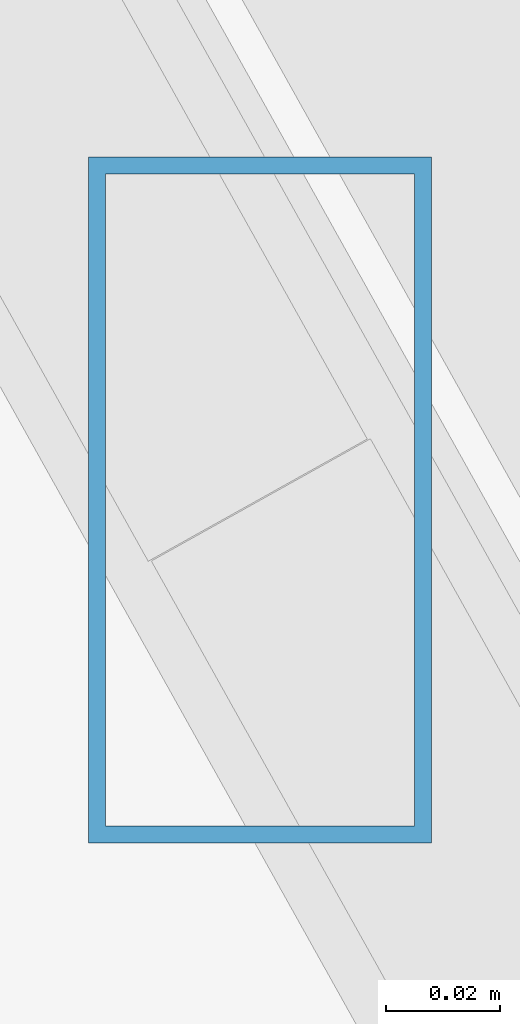
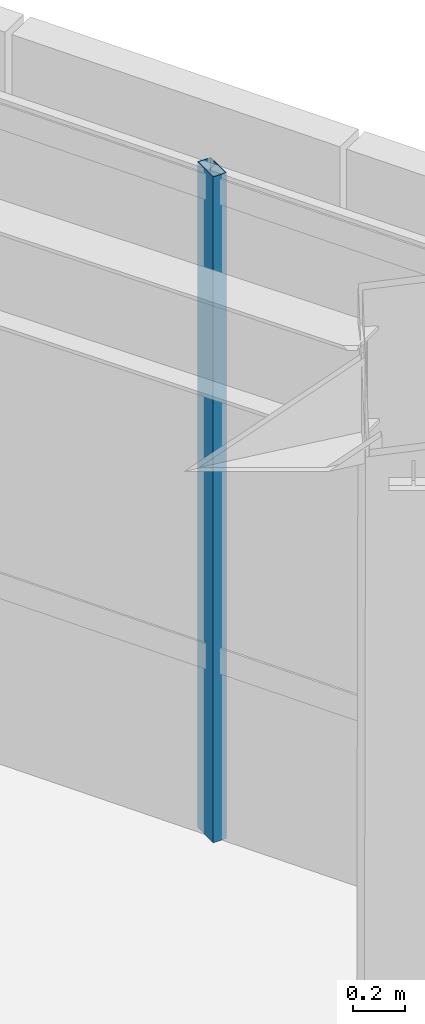
# One storey, part 25 of 44: 1 member, 1 element without a shape of its own.
"""IFC4 building model written with IfcOpenShell, lengths in metres."""

import ifcopenshell
import ifcopenshell.guid

model = None  # the IFC model being written
_history = None  # IfcOwnerHistory: only IFC2X3 demands one
_inside = {}  # id of a spatial element -> (the spatial element, [elements in it])
_under = {}  # id of a project, library or spatial element -> (it, [spatial elements below it])
_declared = {}  # id of a project -> (the project, [libraries it declares])
_typed = {}  # id of a type object -> (the type object, [elements of that type])
_made_of = {}  # id of a material, layer set ... -> (it, [elements and type objects made of it])


def new_model(schema):
    """Start an empty IFC model of exactly this schema.

    Asked for "IFC4X3", IfcOpenShell would pick the latest addendum, in which some entities
    have other attributes; the version numbers below select the first issue.
    IFC2X3 requires an IfcOwnerHistory on every rooted entity: one is made here for all.
    """
    global model, _history
    if schema == "IFC4X3":
        model = ifcopenshell.file(schema_version=(4, 3, 0, 0))
    else:
        model = ifcopenshell.file(schema=schema)
    _inside.clear()
    _under.clear()
    _declared.clear()
    _typed.clear()
    _made_of.clear()
    _history = None
    if model.schema == "IFC2X3":
        org = make("IfcOrganization", Name="unknown")
        user = make(
            "IfcPersonAndOrganization",
            ThePerson=make("IfcPerson", FamilyName="unknown"),
            TheOrganization=org,
        )
        app = make(
            "IfcApplication",
            ApplicationDeveloper=org,
            Version="unknown",
            ApplicationFullName="unknown",
            ApplicationIdentifier="unknown",
        )
        _history = make(
            "IfcOwnerHistory",
            OwningUser=user,
            OwningApplication=app,
            ChangeAction="ADDED",
            CreationDate=0,
        )
    return model


def make(cls, **values):
    """One entity of the class cls with the attributes given. An attribute that is None is left unset."""
    return model.create_entity(
        cls, **{name: value for name, value in values.items() if value is not None}
    )


def rooted(cls, **values):
    """An entity with a GlobalId (a new one), such as an element, a storey or a relation."""
    return make(cls, GlobalId=ifcopenshell.guid.new(), OwnerHistory=_history, **values)


def si_unit(unit_type, name, prefix=None):
    """IfcSIUnit, for example si_unit("LENGTHUNIT", "METRE", prefix="MILLI")."""
    return make("IfcSIUnit", UnitType=unit_type, Prefix=prefix, Name=name)


def assignment(units):
    """IfcUnitAssignment: the units of a project."""
    return None if units is None else make("IfcUnitAssignment", Units=units)


def point(xyz):
    """IfcCartesianPoint."""
    return None if xyz is None else make("IfcCartesianPoint", Coordinates=xyz)


def direction(xyz):
    """IfcDirection."""
    return None if xyz is None else make("IfcDirection", DirectionRatios=xyz)


def frame(location, z_axis=None, x_axis=None):
    """IfcAxis2Placement3D, a coordinate frame: its origin and axes. An axis left out is left unset."""
    return make(
        "IfcAxis2Placement3D",
        Location=point(location),
        Axis=direction(z_axis),
        RefDirection=direction(x_axis),
    )


def frame_2d(location, x_axis=None):
    """IfcAxis2Placement2D, a coordinate frame in the plane: its origin and x axis."""
    return make(
        "IfcAxis2Placement2D", Location=point(location), RefDirection=direction(x_axis)
    )


def origin():
    """The frame at (0, 0, 0) with its axes left unset."""
    return frame((0.0, 0.0, 0.0))


def origin_2d():
    """The frame at (0, 0) in the plane with its x axis left unset."""
    return frame_2d((0.0, 0.0))


def place(relative_to, where):
    """IfcLocalPlacement: puts the frame where relative to a parent placement (None: the world)."""
    return make(
        "IfcLocalPlacement", PlacementRelTo=relative_to, RelativePlacement=where
    )


def context(
    kind, dimensions, precision=None, world=None, true_north=None, identifier=None
):
    """IfcGeometricRepresentationContext, for example the 3D "Model" context."""
    return make(
        "IfcGeometricRepresentationContext",
        ContextIdentifier=identifier,
        ContextType=kind,
        CoordinateSpaceDimension=dimensions,
        Precision=precision,
        WorldCoordinateSystem=world,
        TrueNorth=true_north,
    )


def subcontext(parent, identifier, kind, view, scale=None):
    """IfcGeometricRepresentationSubContext, for example "Body" below "Model"."""
    return make(
        "IfcGeometricRepresentationSubContext",
        ContextIdentifier=identifier,
        ContextType=kind,
        ParentContext=parent,
        TargetScale=scale,
        TargetView=view,
    )


def project(units=None, contexts=None):
    """IfcProject with its units and contexts."""
    return rooted(
        "IfcProject",
        Name="project",
        RepresentationContexts=contexts,
        UnitsInContext=assignment(units),
    )


def spatial(cls, under=None, at=None, **own):
    """A site, building, storey or space (cls), placed at a placement, below another one or the project."""
    s = rooted(cls, ObjectPlacement=at, **own)
    if under is not None:
        _under.setdefault(under.id(), (under, []))[1].append(s)
    return s


def profile(cls, at=None, kind="AREA", **sizes):
    """A parametric profile (cls). Its sizes go by their IFC names, for example OverallWidth=200.0."""
    return make(cls, ProfileType=kind, Position=at, **sizes)


def hollow_rectangle(**sizes):
    """IfcRectangleHollowProfileDef."""
    return profile("IfcRectangleHollowProfileDef", **sizes)


def extrude(swept, where, along, depth):
    """IfcExtrudedAreaSolid: the profile swept, set in the frame where, extruded along a direction by depth."""
    return make(
        "IfcExtrudedAreaSolid",
        SweptArea=swept,
        Position=where,
        ExtrudedDirection=direction(along),
        Depth=depth,
    )


def shape(context_of_items, identifier, shape_type, items):
    """IfcShapeRepresentation: the items that make up one representation, for example the "Body"."""
    return make(
        "IfcShapeRepresentation",
        ContextOfItems=context_of_items,
        RepresentationIdentifier=identifier,
        RepresentationType=shape_type,
        Items=items,
    )


def source(mapping_origin, context_of_items, identifier, shape_type, items):
    """IfcRepresentationMap: a shape defined once, which mapped items show again and again."""
    return make(
        "IfcRepresentationMap",
        MappingOrigin=mapping_origin,
        MappedRepresentation=shape(context_of_items, identifier, shape_type, items),
    )


def transform(
    local_origin,
    x_axis=None,
    y_axis=None,
    z_axis=None,
    scale=None,
    scale2=None,
    scale3=None,
    uniform=True,
):
    """IfcCartesianTransformationOperator3D, or its non-uniform kind. x_axis, y_axis, z_axis: its Axis1, 2, 3."""
    if uniform:
        return make(
            "IfcCartesianTransformationOperator3D",
            Axis1=direction(x_axis),
            Axis2=direction(y_axis),
            LocalOrigin=point(local_origin),
            Scale=scale,
            Axis3=direction(z_axis),
        )
    return make(
        "IfcCartesianTransformationOperator3DnonUniform",
        Axis1=direction(x_axis),
        Axis2=direction(y_axis),
        LocalOrigin=point(local_origin),
        Scale=scale,
        Axis3=direction(z_axis),
        Scale2=scale2,
        Scale3=scale3,
    )


def mapped(mapping_source, mapping_target):
    """IfcMappedItem: shows the shape of a source again, moved by a transform."""
    return make(
        "IfcMappedItem", MappingSource=mapping_source, MappingTarget=mapping_target
    )


def material(Name=None, Category=None):
    """IfcMaterial."""
    return make("IfcMaterial", Name=Name, Category=Category)


def material_profile(
    of_material, cross_section, Name=None, Category=None, Priority=None
):
    """IfcMaterialProfile: a cross section and its material."""
    return make(
        "IfcMaterialProfile",
        Name=Name,
        Material=of_material,
        Profile=cross_section,
        Priority=Priority,
        Category=Category,
    )


def profile_set(profiles, Name=None, composite=None):
    """IfcMaterialProfileSet."""
    return make(
        "IfcMaterialProfileSet",
        Name=Name,
        MaterialProfiles=profiles,
        CompositeProfile=composite,
    )


def made_of(thing, what):
    """Note that an element or type object is made of a material, layer set ...; save() writes the relation."""
    if what is not None:
        _made_of.setdefault(what.id(), (what, []))[1].append(thing)
    return thing


def type_object(cls, material=None, **own):
    """A type object (cls), such as IfcWallType, which elements share."""
    return made_of(rooted(cls, **own), material)


def type_shapes(of_type, sources):
    """Give a type object the sources (RepresentationMaps) that its elements show as mapped items."""
    of_type.RepresentationMaps = sources


def element(
    cls,
    number,
    at=None,
    inside=None,
    cuts=None,
    type_object=None,
    material=None,
    context=None,
    identifier="Body",
    shape_type=None,
    held_by="IfcProductDefinitionShape",
    body=None,
    shapes=None,
    **own,
):
    """One element of the class cls, such as IfcWall. Its Tag is "e" and its number.

    at: its placement. inside: the storey or other place that contains it. cuts: it is an
    opening in that element (IfcRelVoidsElement). A single representation is given by context,
    identifier, shape_type and body (its items); several are given by shapes. held_by: the class
    of the entity that holds the representations. save() writes the other relations.
    """
    e = rooted(cls, Tag="e%d" % number, ObjectPlacement=at, **own)
    if body is not None:
        shapes = [shape(context, identifier, shape_type, body)]
    if shapes is not None:
        e.Representation = make(held_by, Representations=shapes)
    if inside is not None:
        _inside.setdefault(inside.id(), (inside, []))[1].append(e)
    if cuts is not None:
        rooted(
            "IfcRelVoidsElement", RelatingBuildingElement=cuts, RelatedOpeningElement=e
        )
    if type_object is not None:
        _typed.setdefault(type_object.id(), (type_object, []))[1].append(e)
    return made_of(e, material)


def aggregate(whole, parts):
    """IfcRelAggregates: a whole, such as a stair, and the parts it consists of."""
    return rooted("IfcRelAggregates", RelatingObject=whole, RelatedObjects=parts)


def save(model, path):
    """Write the relations noted so far, then the file.

    IfcRelAggregates (storeys below a building ...), IfcRelContainedInSpatialStructure (elements
    in a storey), IfcRelDefinesByType, IfcRelAssociatesMaterial and IfcRelDeclares: one each for
    every whole, place, type object, material and project.
    """
    for whole, parts in _under.values():
        aggregate(whole, parts)
    for where, things in _inside.values():
        rooted(
            "IfcRelContainedInSpatialStructure",
            RelatedElements=things,
            RelatingStructure=where,
        )
    for kind, things in _typed.values():
        rooted("IfcRelDefinesByType", RelatedObjects=things, RelatingType=kind)
    for what, things in _made_of.values():
        rooted("IfcRelAssociatesMaterial", RelatedObjects=things, RelatingMaterial=what)
    for by, libraries in _declared.values():
        rooted("IfcRelDeclares", RelatingContext=by, RelatedDefinitions=libraries)
    model.write(path)


model = new_model("IFC4")

# Units and contexts
model_context = context("Model", 3, precision=1e-05, world=origin(), true_north=direction((0.0, 1.0)))
body_context = subcontext(model_context, "Body", "Model", "MODEL_VIEW")
ifc_project = project(units=[si_unit("LENGTHUNIT", "METRE"), si_unit("AREAUNIT", "SQUARE_METRE"), si_unit("VOLUMEUNIT", "CUBIC_METRE"), si_unit("PLANEANGLEUNIT", "RADIAN"), si_unit("MASSUNIT", "GRAM", prefix="KILO")], contexts=[model_context])

# Site, building, storey
site_placement = place(None, origin())
site = spatial("IfcSite", under=ifc_project, at=site_placement, CompositionType="ELEMENT")
building_placement = place(site_placement, origin())
building = spatial("IfcBuilding", under=site, at=building_placement, Name="Caelisora Broadcast Tower", CompositionType="ELEMENT")
storey_placement = place(building_placement, frame((0.0, 0.0, 289.800048828125)))
storey = spatial("IfcBuildingStorey", under=building, at=storey_placement, Name="L76", CompositionType="ELEMENT", Elevation=289.800048828125)

# Curtain wall, member
ifc_material_1 = material(Name="Unitised Aluminium Insulated Shadow-Box Spandrel Curtain Wall", Category="aluminium")
curtain_wall_type = type_object("IfcCurtainWallType", Name="CW-SP3", PredefinedType="NOTDEFINED", material=ifc_material_1)
curtain_wall_placement = place(storey_placement, origin())
curtain_wall = element("IfcCurtainWall", 1, at=curtain_wall_placement, inside=storey, type_object=curtain_wall_type, Name="L76 curtain wall CW-SP3", PredefinedType="NOTDEFINED")
ifc_material_2 = material(Name="Aluminium 6063-T6 Anodised Terracotta Bronze", Category="aluminium")
ifc_material_profile = material_profile(ifc_material_2, hollow_rectangle(XDim=0.06005859375, YDim=0.1201171875, WallThickness=0.0029296875, at=origin_2d()), Name="Aluminium 6063-T6 Anodised Terracotta Bronze")
ifc_profile_set = profile_set([ifc_material_profile], Name="Aluminium 6063-T6 Anodised Terracotta Bronze")
member_type = type_object("IfcMemberType", Name="CWM-04", PredefinedType="MULLION", material=ifc_profile_set)
shared_shape = source(origin(), body_context, "Body", "SweptSolid", [
    extrude(hollow_rectangle(XDim=0.06005859375, YDim=0.1201171875, WallThickness=0.0029296875, at=origin_2d()), origin(), (0.0, 0.0, 1.0), 3.14990234375),
])
type_shapes(member_type, [shared_shape])
member_placement = place(storey_placement, frame((59.126708984375, 16.67529296875, 0.0), z_axis=(0.0, 0.0, 1.0), x_axis=(1.0, 0.0, 0.0)))
member = element("IfcMember", 2, at=member_placement, type_object=member_type, Name="L76-CW-B03 mullion #2", PredefinedType="MULLION", context=body_context, shape_type="MappedRepresentation", body=[
    mapped(shared_shape, transform((0.0, 0.0, 0.0), scale=1.0)),
])
aggregate(curtain_wall, [member])

save(model, "model.ifc")
